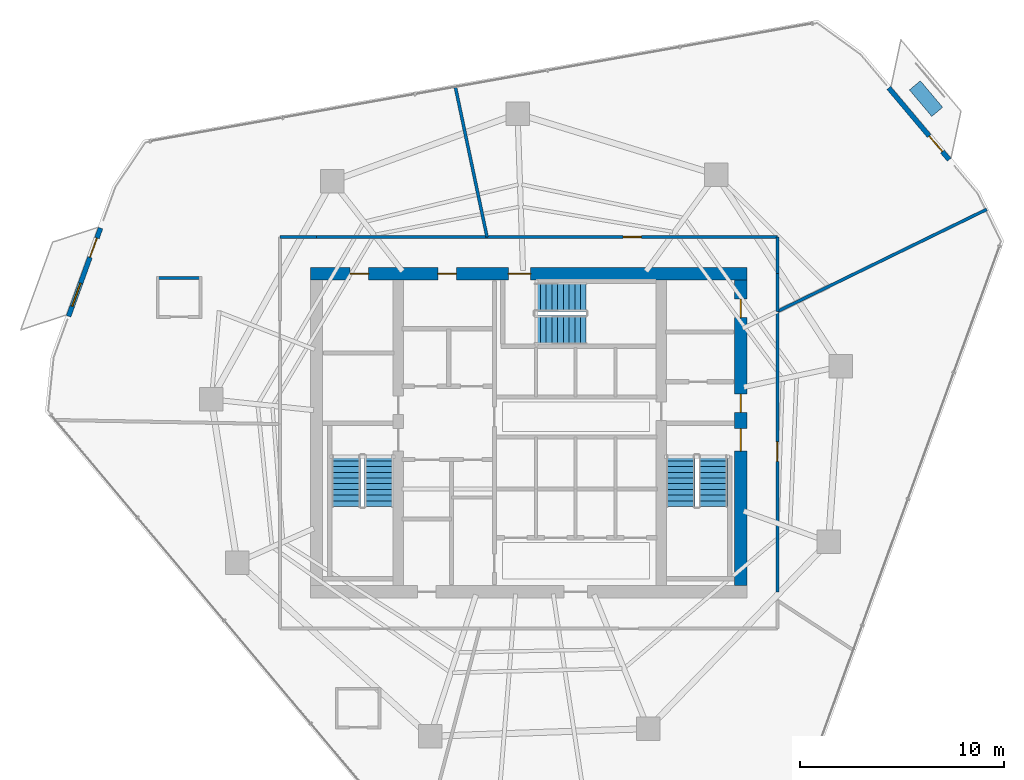
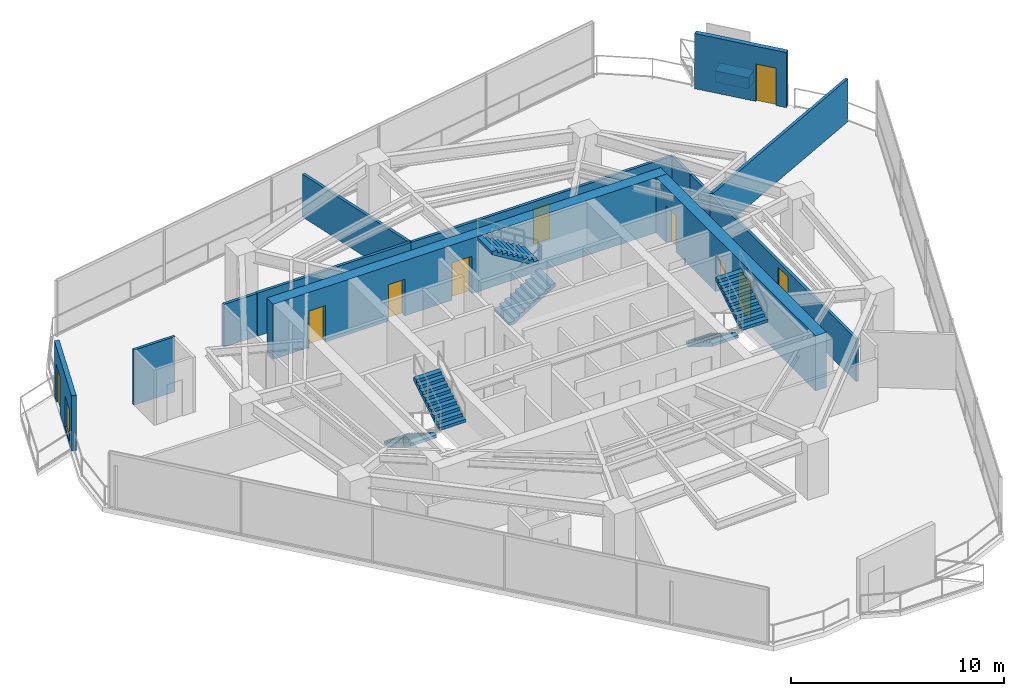
# One storey, part 25 of 27: 13 walls, 10 doors, 6 stair flights, 1 discrete accessory, 1 window, 11 openings, 3 elements without a shape of their own.
"""IFC4 building model written with IfcOpenShell, lengths in metres."""

from ifc_helpers import new_model, si_unit, direction, frame, frame_2d, origin, origin_2d, place, context, subcontext, project, spatial, polyline, rectangle, outline, extrude, material, layer, layer_set, type_object, element, fill, aggregate, save


model = new_model("IFC4")

# Units and contexts
model_context = context("Model", 3, precision=1e-05, world=origin(), true_north=direction((0.0, 1.0)))
body_context = subcontext(model_context, "Body", "Model", "MODEL_VIEW")
ifc_project = project(units=[si_unit("LENGTHUNIT", "METRE"), si_unit("AREAUNIT", "SQUARE_METRE"), si_unit("VOLUMEUNIT", "CUBIC_METRE"), si_unit("PLANEANGLEUNIT", "RADIAN"), si_unit("MASSUNIT", "GRAM", prefix="KILO")], contexts=[model_context])

# Site, building, storey
site_placement = place(None, origin())
site = spatial("IfcSite", under=ifc_project, at=site_placement, CompositionType="ELEMENT")
building_placement = place(site_placement, origin())
building = spatial("IfcBuilding", under=site, at=building_placement, Name="Qarnah Convention Tower", CompositionType="ELEMENT")
storey_placement = place(building_placement, frame((0.0, 0.0, 103.949951171875)))
storey = spatial("IfcBuildingStorey", under=building, at=storey_placement, Name="L27", CompositionType="ELEMENT", Elevation=103.949951171875)

# Wall, openings, doors
ifc_material_1 = material(Name="Concrete C60/75", Category="concrete")
ifc_layer_1 = layer(ifc_material_1, 0.60009765625)
ifc_layer_set_1 = layer_set([ifc_layer_1], Name="Concrete C60/75")
wall_type_1 = type_object("IfcWallType", Name="WL-CORE-600", PredefinedType="SHEAR", material=ifc_layer_set_1)
wall_1_placement = place(storey_placement, frame((26.5, 34.199951171875, 0.0), z_axis=(0.0, 0.0, 1.0), x_axis=(1.0, 0.0, 0.0)))
wall_1 = element("IfcWall", 1, at=wall_1_placement, inside=storey, type_object=wall_type_1, Name="L27 core north shear wall", PredefinedType="SHEAR", context=body_context, shape_type="SweptSolid", body=[
    extrude(rectangle(XDim=21.39990234375, YDim=0.60009765625, at=frame_2d((10.699951171875, 0.0))), origin(), (0.0, 0.0, 1.0), 3.170166015625),
])
opening_1_placement = place(wall_1_placement, frame((9.699951171875, 0.0, 0.0)))
opening_1 = element("IfcOpeningElement", 2, at=opening_1_placement, cuts=wall_1, Name="Opening D-2703", PredefinedType="OPENING", context=body_context, shape_type="SweptSolid", body=[
    extrude(rectangle(XDim=1.10009765625, YDim=2.14990234375, at=frame_2d((0.550048828125, 1.074951171875))), frame((0.0, 0.31005859375, 0.0), z_axis=(0.0, -1.0, 0.0), x_axis=(1.0, 0.0, 0.0)), (0.0, 0.0, 1.0), 0.6201171875),
])
opening_2_placement = place(wall_1_placement, frame((1.949951171875, 0.0, 0.0)))
opening_2 = element("IfcOpeningElement", 3, at=opening_2_placement, cuts=wall_1, Name="Opening D-2709", PredefinedType="OPENING", context=body_context, shape_type="SweptSolid", body=[
    extrude(rectangle(XDim=0.89990234375, YDim=2.10009765625, at=frame_2d((0.449951171875, 1.050048828125))), frame((0.0, 0.31005859375, 0.0), z_axis=(0.0, -1.0, 0.0), x_axis=(1.0, 0.0, 0.0)), (0.0, 0.0, 1.0), 0.6201171875),
])
opening_3_placement = place(wall_1_placement, frame((6.25, 0.0, 0.0)))
opening_3 = element("IfcOpeningElement", 4, at=opening_3_placement, cuts=wall_1, Name="Opening D-2710", PredefinedType="OPENING", context=body_context, shape_type="SweptSolid", body=[
    extrude(rectangle(XDim=0.89990234375, YDim=2.10009765625, at=frame_2d((0.449951171875, 1.050048828125))), frame((0.0, 0.31005859375, 0.0), z_axis=(0.0, -1.0, 0.0), x_axis=(1.0, 0.0, 0.0)), (0.0, 0.0, 1.0), 0.6201171875),
])
ifc_material_2 = material(Name="Structural steel S355JR", Category="steel")
door_type_1 = type_object("IfcDoorType", Name="DT-RISER-900", OperationType="NOTDEFINED", PredefinedType="DOOR", material=ifc_material_2)
door_1_placement = place(opening_2_placement, origin())
door_1 = element("IfcDoor", 5, at=door_1_placement, inside=storey, type_object=door_type_1, Name="Door D-2709", OperationType="SINGLE_SWING_RIGHT", OverallHeight=2.10009765625, OverallWidth=0.89990234375, PredefinedType="DOOR", context=body_context, shape_type="SweptSolid", body=[
    extrude(rectangle(XDim=0.89990234375, YDim=2.10009765625, at=frame_2d((0.449951171875, 1.050048828125))), frame((0.0, 0.02490234375, 0.0), z_axis=(0.0, -1.0, 0.0), x_axis=(1.0, 0.0, 0.0)), (0.0, 0.0, 1.0), 0.050048828125),
])
fill(opening_2, door_1)
door_2_placement = place(opening_3_placement, origin())
door_2 = element("IfcDoor", 6, at=door_2_placement, inside=storey, type_object=door_type_1, Name="Door D-2710", OperationType="SINGLE_SWING_LEFT", OverallHeight=2.10009765625, OverallWidth=0.89990234375, PredefinedType="DOOR", context=body_context, shape_type="SweptSolid", body=[
    extrude(rectangle(XDim=0.89990234375, YDim=2.10009765625, at=frame_2d((0.449951171875, 1.050048828125))), frame((0.0, 0.02490234375, 0.0), z_axis=(0.0, -1.0, 0.0), x_axis=(1.0, 0.0, 0.0)), (0.0, 0.0, 1.0), 0.050048828125),
])
fill(opening_3, door_2)
door_type_2 = type_object("IfcDoorType", Name="DT-STAIR-1100", OperationType="NOTDEFINED", PredefinedType="DOOR", material=ifc_material_2)
door_3_placement = place(opening_1_placement, origin())
door_3 = element("IfcDoor", 7, at=door_3_placement, inside=storey, type_object=door_type_2, Name="Door D-2703", OperationType="SINGLE_SWING_RIGHT", OverallHeight=2.14990234375, OverallWidth=1.10009765625, PredefinedType="DOOR", context=body_context, shape_type="SweptSolid", body=[
    extrude(rectangle(XDim=1.10009765625, YDim=2.14990234375, at=frame_2d((0.550048828125, 1.074951171875))), frame((0.0, 0.02490234375, 0.0), z_axis=(0.0, -1.0, 0.0), x_axis=(1.0, 0.0, 0.0)), (0.0, 0.0, 1.0), 0.050048828125),
])
fill(opening_1, door_3)

wall_2_placement = place(storey_placement, frame((47.60009765625, 18.89990234375, 0.0), z_axis=(0.0, 0.0, 1.0), x_axis=(0.0, 1.0, 0.0)))
wall_2 = element("IfcWall", 8, at=wall_2_placement, inside=storey, type_object=wall_type_1, Name="L27 core east shear wall", PredefinedType="SHEAR", context=body_context, shape_type="SweptSolid", body=[
    extrude(rectangle(XDim=15.0, YDim=0.60009765625, at=frame_2d((7.5, 0.0))), origin(), (0.0, 0.0, 1.0), 3.170166015625),
])
opening_4_placement = place(wall_2_placement, frame((6.60009765625, 0.0, 0.0)))
opening_4 = element("IfcOpeningElement", 9, at=opening_4_placement, cuts=wall_2, Name="Opening D-2702", PredefinedType="OPENING", context=body_context, shape_type="SweptSolid", body=[
    extrude(rectangle(XDim=1.10009765625, YDim=2.14990234375, at=frame_2d((0.550048828125, 1.074951171875))), frame((0.0, 0.31005859375, 0.0), z_axis=(0.0, -1.0, 0.0), x_axis=(1.0, 0.0, 0.0)), (0.0, 0.0, 1.0), 0.6201171875),
])
opening_5_placement = place(wall_2_placement, frame((8.5, 0.0, 0.0)))
opening_5 = element("IfcOpeningElement", 10, at=opening_5_placement, cuts=wall_2, Name="Opening D-2706", PredefinedType="OPENING", context=body_context, shape_type="SweptSolid", body=[
    extrude(rectangle(XDim=0.89990234375, YDim=2.10009765625, at=frame_2d((0.449951171875, 1.050048828125))), frame((0.0, 0.31005859375, 0.0), z_axis=(0.0, -1.0, 0.0), x_axis=(1.0, 0.0, 0.0)), (0.0, 0.0, 1.0), 0.6201171875),
])
opening_6_placement = place(wall_2_placement, frame((13.14990234375, 0.0, 0.0)))
opening_6 = element("IfcOpeningElement", 11, at=opening_6_placement, cuts=wall_2, Name="Opening D-2712", PredefinedType="OPENING", context=body_context, shape_type="SweptSolid", body=[
    extrude(rectangle(XDim=0.89990234375, YDim=2.10009765625, at=frame_2d((0.449951171875, 1.050048828125))), frame((0.0, 0.31005859375, 0.0), z_axis=(0.0, -1.0, 0.0), x_axis=(1.0, 0.0, 0.0)), (0.0, 0.0, 1.0), 0.6201171875),
])
door_4_placement = place(opening_5_placement, origin())
door_4 = element("IfcDoor", 12, at=door_4_placement, inside=storey, type_object=door_type_1, Name="Door D-2706", OperationType="SINGLE_SWING_LEFT", OverallHeight=2.10009765625, OverallWidth=0.89990234375, PredefinedType="DOOR", context=body_context, shape_type="SweptSolid", body=[
    extrude(rectangle(XDim=0.89990234375, YDim=2.10009765625, at=frame_2d((0.449951171875, 1.050048828125))), frame((0.0, 0.02490234375, 0.0), z_axis=(0.0, -1.0, 0.0), x_axis=(1.0, 0.0, 0.0)), (0.0, 0.0, 1.0), 0.050048828125),
])
fill(opening_5, door_4)
door_5_placement = place(opening_6_placement, origin())
door_5 = element("IfcDoor", 13, at=door_5_placement, inside=storey, type_object=door_type_1, Name="Door D-2712", OperationType="SINGLE_SWING_LEFT", OverallHeight=2.10009765625, OverallWidth=0.89990234375, PredefinedType="DOOR", context=body_context, shape_type="SweptSolid", body=[
    extrude(rectangle(XDim=0.89990234375, YDim=2.10009765625, at=frame_2d((0.449951171875, 1.050048828125))), frame((0.0, 0.02490234375, 0.0), z_axis=(0.0, -1.0, 0.0), x_axis=(1.0, 0.0, 0.0)), (0.0, 0.0, 1.0), 0.050048828125),
])
fill(opening_6, door_5)
door_6_placement = place(opening_4_placement, origin())
door_6 = element("IfcDoor", 14, at=door_6_placement, inside=storey, type_object=door_type_2, Name="Door D-2702", OperationType="SINGLE_SWING_LEFT", OverallHeight=2.14990234375, OverallWidth=1.10009765625, PredefinedType="DOOR", context=body_context, shape_type="SweptSolid", body=[
    extrude(rectangle(XDim=1.10009765625, YDim=2.14990234375, at=frame_2d((0.550048828125, 1.074951171875))), frame((0.0, 0.02490234375, 0.0), z_axis=(0.0, -1.0, 0.0), x_axis=(1.0, 0.0, 0.0)), (0.0, 0.0, 1.0), 0.050048828125),
])
fill(opening_4, door_6)

# Wall, opening, door
ifc_material_3 = material(Name="Precast concrete C45/55", Category="concrete")
ifc_layer_2 = layer(ifc_material_3, 0.239990234375)
ifc_layer_set_2 = layer_set([ifc_layer_2], Name="Precast concrete C45/55")
wall_type_2 = type_object("IfcWallType", Name="WL-EXT-BAL-240", PredefinedType="SOLIDWALL", material=ifc_layer_set_2)
wall_3_placement = place(storey_placement, frame((54.85888671875, 43.30908203125, 0.0), z_axis=(0.0, 0.0, 1.0), x_axis=(0.643977190631, -0.765044690163, 0.0)))
wall_3 = element("IfcWall", 15, at=wall_3_placement, inside=storey, type_object=wall_type_2, Name="L27 loggia threshold wall BAL-L27-C1", PredefinedType="SOLIDWALL", context=body_context, shape_type="SweptSolid", body=[
    extrude(rectangle(XDim=4.599853515625, YDim=0.239990234375, at=frame_2d((2.2998046875, 0.0))), origin(), (0.0, 0.0, 1.0), 3.170166015625),
])
opening_7_placement = place(wall_3_placement, frame((3.080078125, 0.0, 0.0)))
opening_7 = element("IfcOpeningElement", 16, at=opening_7_placement, cuts=wall_3, Name="Opening BD-2701", PredefinedType="OPENING", context=body_context, shape_type="SweptSolid", body=[
    extrude(rectangle(XDim=1.0, YDim=2.14990234375, at=frame_2d((0.5, 1.074951171875))), frame((0.0, 0.1298828125, 0.0), z_axis=(0.0, -1.0, 0.0), x_axis=(1.0, 0.0, 0.0)), (0.0, 0.0, 1.0), 0.260009765625),
])
ifc_material_4 = material(Name="Black anodised aluminium", Category="aluminium")
door_type_3 = type_object("IfcDoorType", Name="DT-BAL-1000", OperationType="NOTDEFINED", PredefinedType="DOOR", material=ifc_material_4)
door_7_placement = place(opening_7_placement, origin())
door_7 = element("IfcDoor", 17, at=door_7_placement, inside=storey, type_object=door_type_3, Name="L27 balcony terrace door BAL-L27-C1", OperationType="SINGLE_SWING_RIGHT", OverallHeight=2.14990234375, OverallWidth=1.0, PredefinedType="DOOR", context=body_context, shape_type="SweptSolid", body=[
    extrude(rectangle(XDim=1.0, YDim=2.14990234375, at=frame_2d((0.5, 1.074951171875))), frame((0.0, 0.02490234375, 0.0), z_axis=(0.0, -1.0, 0.0), x_axis=(1.0, 0.0, 0.0)), (0.0, 0.0, 1.0), 0.050048828125),
])
fill(opening_7, door_7)

# Wall, openings, door, window
wall_4_placement = place(storey_placement, frame((14.636962890625, 32.113037109375, 0.0), z_axis=(0.0, 0.0, 1.0), x_axis=(0.340673253806, 0.940181755908, 0.0)))
wall_4 = element("IfcWall", 18, at=wall_4_placement, inside=storey, type_object=wall_type_2, Name="L27 loggia threshold wall BAL-L27-C2", PredefinedType="SOLIDWALL", context=body_context, shape_type="SweptSolid", body=[
    extrude(rectangle(XDim=4.60009765625, YDim=0.239990234375, at=frame_2d((2.300048828125, 0.0))), origin(), (0.0, 0.0, 1.0), 3.170166015625),
])
opening_8_placement = place(wall_4_placement, frame((3.080078125, 0.0, 0.0)))
opening_8 = element("IfcOpeningElement", 19, at=opening_8_placement, cuts=wall_4, Name="Opening BD-2702", PredefinedType="OPENING", context=body_context, shape_type="SweptSolid", body=[
    extrude(rectangle(XDim=1.0, YDim=2.14990234375, at=frame_2d((0.5, 1.074951171875))), frame((0.0, 0.1298828125, 0.0), z_axis=(0.0, -1.0, 0.0), x_axis=(1.0, 0.0, 0.0)), (0.0, 0.0, 1.0), 0.260009765625),
])
opening_9_placement = place(wall_4_placement, frame((0.52001953125, 0.0, 0.199951171875)))
opening_9 = element("IfcOpeningElement", 20, at=opening_9_placement, cuts=wall_4, Name="Opening WN5", PredefinedType="OPENING", context=body_context, shape_type="SweptSolid", body=[
    extrude(rectangle(XDim=1.199951171875, YDim=1.800048828125, at=frame_2d((0.60009765625, 0.89990234375))), frame((0.0, 0.1298828125, 0.0), z_axis=(0.0, -1.0, 0.0), x_axis=(1.0, 0.0, 0.0)), (0.0, 0.0, 1.0), 0.260009765625),
])
door_8_placement = place(opening_8_placement, origin())
door_8 = element("IfcDoor", 21, at=door_8_placement, inside=storey, type_object=door_type_3, Name="L27 balcony terrace door BAL-L27-C2", OperationType="SINGLE_SWING_LEFT", OverallHeight=2.14990234375, OverallWidth=1.0, PredefinedType="DOOR", context=body_context, shape_type="SweptSolid", body=[
    extrude(rectangle(XDim=1.0, YDim=2.14990234375, at=frame_2d((0.5, 1.074951171875))), frame((0.0, 0.02490234375, 0.0), z_axis=(0.0, -1.0, 0.0), x_axis=(1.0, 0.0, 0.0)), (0.0, 0.0, 1.0), 0.050048828125),
])
fill(opening_8, door_8)
ifc_material_5 = material(Name="Tempered Low-E dark glass", Category="glass")
window_type = type_object("IfcWindowType", Name="WT-BAL-1200X1800", PartitioningType="SINGLE_PANEL", PredefinedType="WINDOW", material=ifc_material_5)
window_placement = place(opening_9_placement, origin())
window = element("IfcWindow", 22, at=window_placement, inside=storey, type_object=window_type, Name="Window BW-BAL-L27-C2", OverallHeight=1.800048828125, OverallWidth=1.199951171875, PartitioningType="SINGLE_PANEL", PredefinedType="WINDOW", context=body_context, shape_type="SweptSolid", body=[
    extrude(rectangle(XDim=1.199951171875, YDim=1.800048828125, at=frame_2d((0.60009765625, 0.89990234375))), frame((0.0, 0.030029296875, 0.0), z_axis=(0.0, -1.0, 0.0), x_axis=(1.0, 0.0, 0.0)), (0.0, 0.0, 1.0), 0.06005859375),
])
fill(opening_9, window)

# Wall
ifc_material_6 = material(Name="Gypsum partition board")
ifc_layer_3 = layer(ifc_material_6, 0.14990234375)
ifc_layer_set_3 = layer_set([ifc_layer_3], Name="Gypsum partition board")
wall_type_3 = type_object("IfcWallType", Name="WL-SUITE-150", PredefinedType="PARTITIONING", material=ifc_layer_set_3)
wall_5_placement = place(storey_placement, frame((33.596923828125, 43.39794921875, 0.0), z_axis=(0.0, 0.0, 1.0), x_axis=(0.206586512676, -0.978428338091, 0.0)))
element("IfcWall", 23, at=wall_5_placement, inside=storey, type_object=wall_type_3, Name="L27 interior wall IW-L27-R-09", PredefinedType="PARTITIONING", context=body_context, shape_type="SweptSolid", body=[
    extrude(rectangle(XDim=7.56103515625, YDim=0.14990234375, at=frame_2d((3.780517578125, 0.0))), origin(), (0.0, 0.0, 1.0), 2.455078125),
])

# Wall, opening, door
wall_6_placement = place(storey_placement, frame((35.158935546875, 36.0, 0.0), z_axis=(0.0, 0.0, 1.0), x_axis=(1.0, 0.0, 0.0)))
wall_6 = element("IfcWall", 24, at=wall_6_placement, inside=storey, type_object=wall_type_3, Name="L27 interior wall IW-L27-R-10", PredefinedType="PARTITIONING", context=body_context, shape_type="SweptSolid", body=[
    extrude(rectangle(XDim=14.240966796875, YDim=0.14990234375, at=frame_2d((7.12060546875, 0.0))), origin(), (0.0, 0.0, 1.0), 2.455078125),
])
opening_10_placement = place(wall_6_placement, frame((6.669921875, 0.0, 0.0)))
opening_10 = element("IfcOpeningElement", 25, at=opening_10_placement, cuts=wall_6, Name="Opening D-2716", PredefinedType="OPENING", context=body_context, shape_type="SweptSolid", body=[
    extrude(rectangle(XDim=0.89990234375, YDim=2.0, at=frame_2d((0.449951171875, 1.0))), frame((0.0, 0.0849609375, 0.0), z_axis=(0.0, -1.0, 0.0), x_axis=(1.0, 0.0, 0.0)), (0.0, 0.0, 1.0), 0.169921875),
])
door_type_4 = type_object("IfcDoorType", Name="DT-PLANT-900", OperationType="NOTDEFINED", PredefinedType="DOOR", material=ifc_material_2)
door_9_placement = place(opening_10_placement, origin())
door_9 = element("IfcDoor", 26, at=door_9_placement, inside=storey, type_object=door_type_4, Name="Door D-2716", OperationType="SINGLE_SWING_LEFT", OverallHeight=2.0, OverallWidth=0.89990234375, PredefinedType="DOOR", context=body_context, shape_type="SweptSolid", body=[
    extrude(rectangle(XDim=0.89990234375, YDim=2.0, at=frame_2d((0.449951171875, 1.0))), frame((0.0, 0.02490234375, 0.0), z_axis=(0.0, -1.0, 0.0), x_axis=(1.0, 0.0, 0.0)), (0.0, 0.0, 1.0), 0.050048828125),
])
fill(opening_10, door_9)

# Walls
wall_7_placement = place(storey_placement, frame((49.39990234375, 36.0, 0.0), z_axis=(0.0, 0.0, 1.0), x_axis=(0.0, -1.0, 0.0)))
element("IfcWall", 27, at=wall_7_placement, inside=storey, type_object=wall_type_3, Name="L27 interior wall IW-L27-R-11", PredefinedType="PARTITIONING", context=body_context, shape_type="SweptSolid", body=[
    extrude(rectangle(XDim=1.800048828125, YDim=0.14990234375, at=frame_2d((0.89990234375, 0.0))), origin(), (0.0, 0.0, 1.0), 2.455078125),
])
wall_8_placement = place(storey_placement, frame((49.39990234375, 34.199951171875, 0.0), z_axis=(0.0, 0.0, 1.0), x_axis=(0.0, -1.0, 0.0)))
element("IfcWall", 28, at=wall_8_placement, inside=storey, type_object=wall_type_3, Name="L27 interior wall IW-L27-R-12", PredefinedType="PARTITIONING", context=body_context, shape_type="SweptSolid", body=[
    extrude(rectangle(XDim=1.849853515625, YDim=0.14990234375, at=frame_2d((0.9248046875, 0.0))), origin(), (0.0, 0.0, 1.0), 2.455078125),
])
wall_9_placement = place(storey_placement, frame((49.39990234375, 32.35009765625, 0.0), z_axis=(0.0, 0.0, 1.0), x_axis=(0.898786537998, 0.438386540753, 0.0)))
element("IfcWall", 29, at=wall_9_placement, inside=storey, type_object=wall_type_3, Name="L27 interior wall IW-L27-R-13", PredefinedType="PARTITIONING", context=body_context, shape_type="SweptSolid", body=[
    extrude(rectangle(XDim=11.412109375, YDim=0.14990234375, at=frame_2d((5.7060546875, 0.0))), origin(), (0.0, 0.0, 1.0), 2.455078125),
])
wall_10_placement = place(storey_placement, frame((25.0, 36.0, 0.0), z_axis=(0.0, 0.0, 1.0), x_axis=(1.0, 0.0, 0.0)))
element("IfcWall", 30, at=wall_10_placement, inside=storey, type_object=wall_type_3, Name="L27 interior wall IW-L27-R-16", PredefinedType="PARTITIONING", context=body_context, shape_type="SweptSolid", body=[
    extrude(rectangle(XDim=1.800048828125, YDim=0.14990234375, at=frame_2d((0.89990234375, 0.0))), origin(), (0.0, 0.0, 1.0), 2.455078125),
])
wall_11_placement = place(storey_placement, frame((26.800048828125, 36.0, 0.0), z_axis=(0.0, 0.0, 1.0), x_axis=(1.0, 0.0, 0.0)))
element("IfcWall", 31, at=wall_11_placement, inside=storey, type_object=wall_type_3, Name="L27 interior wall IW-L27-R-17", PredefinedType="PARTITIONING", context=body_context, shape_type="SweptSolid", body=[
    extrude(rectangle(XDim=8.35888671875, YDim=0.14990234375, at=frame_2d((4.179443359375, 0.0))), origin(), (0.0, 0.0, 1.0), 2.467041015625),
])

# Wall, opening, door
wall_12_placement = place(storey_placement, frame((49.39990234375, 32.35009765625, 0.0), z_axis=(0.0, 0.0, 1.0), x_axis=(0.0, -1.0, 0.0)))
wall_12 = element("IfcWall", 32, at=wall_12_placement, inside=storey, type_object=wall_type_3, Name="L27 interior wall IW-L27-R-25", PredefinedType="PARTITIONING", context=body_context, shape_type="SweptSolid", body=[
    extrude(rectangle(XDim=13.75, YDim=0.14990234375, at=frame_2d((6.875, 0.0))), origin(), (0.0, 0.0, 1.0), 2.455078125),
])
opening_11_placement = place(wall_12_placement, frame((6.39990234375, 0.0, 0.0)))
opening_11 = element("IfcOpeningElement", 33, at=opening_11_placement, cuts=wall_12, Name="Opening D-2722", PredefinedType="OPENING", context=body_context, shape_type="SweptSolid", body=[
    extrude(rectangle(XDim=0.949951171875, YDim=2.14990234375, at=frame_2d((0.47509765625, 1.074951171875))), frame((0.0, 0.0849609375, 0.0), z_axis=(0.0, -1.0, 0.0), x_axis=(1.0, 0.0, 0.0)), (0.0, 0.0, 1.0), 0.169921875),
])
ifc_material_7 = material(Name="Oak timber veneer", Category="wood")
door_type_5 = type_object("IfcDoorType", Name="DT-HOTEL-950", OperationType="NOTDEFINED", PredefinedType="DOOR", material=ifc_material_7)
door_10_placement = place(opening_11_placement, origin())
door_10 = element("IfcDoor", 34, at=door_10_placement, inside=storey, type_object=door_type_5, Name="Door D-2722", OperationType="SINGLE_SWING_LEFT", OverallHeight=2.14990234375, OverallWidth=0.949951171875, PredefinedType="DOOR", context=body_context, shape_type="SweptSolid", body=[
    extrude(rectangle(XDim=0.949951171875, YDim=2.14990234375, at=frame_2d((0.47509765625, 1.074951171875))), frame((0.0, 0.02490234375, 0.0), z_axis=(0.0, -1.0, 0.0), x_axis=(1.0, 0.0, 0.0)), (0.0, 0.0, 1.0), 0.050048828125),
])
fill(opening_11, door_10)

# Wall
ifc_layer_4 = layer(ifc_material_6, 0.139892578125)
ifc_layer_set_4 = layer_set([ifc_layer_4], Name="Gypsum partition board")
wall_type_4 = type_object("IfcWallType", Name="WL-WET-140", PredefinedType="PARTITIONING", material=ifc_layer_set_4)
wall_13_placement = place(storey_placement, frame((21.179931640625, 33.98291015625, 0.0), z_axis=(0.0, 0.0, 1.0), x_axis=(-1.0, 0.0, 0.0)))
element("IfcWall", 35, at=wall_13_placement, inside=storey, type_object=wall_type_4, Name="L27 interior wall IW-L27-ENS01-3", PredefinedType="PARTITIONING", context=body_context, shape_type="SweptSolid", body=[
    extrude(rectangle(XDim=2.239990234375, YDim=0.139892578125, at=frame_2d((1.1201171875, 0.0))), origin(), (0.0, 0.0, 1.0), 3.170166015625),
])

# Stair, stair flights
ifc_material_8 = material(Name="Concrete C50/60", Category="concrete")
stair_type = type_object("IfcStairType", Name="STR-HTL", PredefinedType="HALF_TURN_STAIR", material=ifc_material_8)
stair_1_placement = place(storey_placement, origin())
stair_1 = element("IfcStair", 36, at=stair_1_placement, inside=storey, type_object=stair_type, Name="L27 Core exit stair ST-1", PredefinedType="HALF_TURN_STAIR")
stair_flight_type = type_object("IfcStairFlightType", Name="FLT-HTL", PredefinedType="STRAIGHT", material=ifc_material_8)
stair_flight_1_placement = place(storey_placement, frame((28.25, 25.300048828125, 0.0), z_axis=(0.0, 0.0, 1.0), x_axis=(0.0, -1.0, 0.0)))
stair_flight_1 = element("IfcStairFlight", 37, at=stair_flight_1_placement, type_object=stair_flight_type, Name="ST-1 flight 1", NumberOfRisers=10, NumberOfTreads=9, PredefinedType="STRAIGHT", RiserHeight=0.1725, TreadLength=0.28, context=body_context, shape_type="SweptSolid", body=[
    extrude(outline(polyline([(0.0, 0.0), (0.0, 0.172607421875), (0.280029296875, 0.172607421875), (0.280029296875, 0.344970703125), (0.56005859375, 0.344970703125), (0.56005859375, 0.517578125), (0.840087890625, 0.517578125), (0.840087890625, 0.68994140625), (1.1201171875, 0.68994140625), (1.1201171875, 0.862548828125), (1.39990234375, 0.862548828125), (1.39990234375, 1.034912109375), (1.679931640625, 1.034912109375), (1.679931640625, 1.20751953125), (1.9599609375, 1.20751953125), (1.9599609375, 1.3798828125), (2.239990234375, 1.3798828125), (2.239990234375, 1.552490234375), (2.52001953125, 1.552490234375), (2.52001953125, 1.72509765625), (2.52001953125, 1.37646484375), (0.285888671875, 0.0), (0.0, 0.0)])), frame((0.0, 0.699951171875, 0.0), z_axis=(0.0, -1.0, 0.0), x_axis=(1.0, 0.0, 0.0)), (0.0, 0.0, 1.0), 1.39990234375),
])
stair_flight_2_placement = place(storey_placement, frame((29.85009765625, 22.780029296875, 1.72509765625), z_axis=(0.0, 0.0, 1.0), x_axis=(0.0, 1.0, 0.0)))
stair_flight_2 = element("IfcStairFlight", 38, at=stair_flight_2_placement, type_object=stair_flight_type, Name="ST-1 flight 2", NumberOfRisers=10, NumberOfTreads=9, PredefinedType="STRAIGHT", RiserHeight=0.1725, TreadLength=0.28, context=body_context, shape_type="SweptSolid", body=[
    extrude(outline(polyline([(0.0, 0.0), (0.0, 0.172607421875), (0.280029296875, 0.172607421875), (0.280029296875, 0.344970703125), (0.56005859375, 0.344970703125), (0.56005859375, 0.517578125), (0.840087890625, 0.517578125), (0.840087890625, 0.68994140625), (1.1201171875, 0.68994140625), (1.1201171875, 0.862548828125), (1.39990234375, 0.862548828125), (1.39990234375, 1.034912109375), (1.679931640625, 1.034912109375), (1.679931640625, 1.20751953125), (1.9599609375, 1.20751953125), (1.9599609375, 1.3798828125), (2.239990234375, 1.3798828125), (2.239990234375, 1.552490234375), (2.52001953125, 1.552490234375), (2.52001953125, 1.72509765625), (2.52001953125, 1.37646484375), (0.285888671875, 0.0), (0.0, 0.0)])), frame((0.0, 0.699951171875, 0.0), z_axis=(0.0, -1.0, 0.0), x_axis=(1.0, 0.0, 0.0)), (0.0, 0.0, 1.0), 1.39990234375),
])
aggregate(stair_1, [stair_flight_1, stair_flight_2])

stair_2_placement = place(storey_placement, origin())
stair_2 = element("IfcStair", 39, at=stair_2_placement, inside=storey, type_object=stair_type, Name="L27 Core exit stair ST-2", PredefinedType="HALF_TURN_STAIR")
stair_flight_3_placement = place(storey_placement, frame((44.64990234375, 25.300048828125, 0.0), z_axis=(0.0, 0.0, 1.0), x_axis=(0.0, -1.0, 0.0)))
stair_flight_3 = element("IfcStairFlight", 40, at=stair_flight_3_placement, type_object=stair_flight_type, Name="ST-2 flight 1", NumberOfRisers=10, NumberOfTreads=9, PredefinedType="STRAIGHT", RiserHeight=0.1725, TreadLength=0.28, context=body_context, shape_type="SweptSolid", body=[
    extrude(outline(polyline([(0.0, 0.0), (0.0, 0.172607421875), (0.280029296875, 0.172607421875), (0.280029296875, 0.344970703125), (0.56005859375, 0.344970703125), (0.56005859375, 0.517578125), (0.840087890625, 0.517578125), (0.840087890625, 0.68994140625), (1.1201171875, 0.68994140625), (1.1201171875, 0.862548828125), (1.39990234375, 0.862548828125), (1.39990234375, 1.034912109375), (1.679931640625, 1.034912109375), (1.679931640625, 1.20751953125), (1.9599609375, 1.20751953125), (1.9599609375, 1.3798828125), (2.239990234375, 1.3798828125), (2.239990234375, 1.552490234375), (2.52001953125, 1.552490234375), (2.52001953125, 1.72509765625), (2.52001953125, 1.37646484375), (0.285888671875, 0.0), (0.0, 0.0)])), frame((0.0, 0.699951171875, 0.0), z_axis=(0.0, -1.0, 0.0), x_axis=(1.0, 0.0, 0.0)), (0.0, 0.0, 1.0), 1.39990234375),
])
stair_flight_4_placement = place(storey_placement, frame((46.25, 22.780029296875, 1.72509765625), z_axis=(0.0, 0.0, 1.0), x_axis=(0.0, 1.0, 0.0)))
stair_flight_4 = element("IfcStairFlight", 41, at=stair_flight_4_placement, type_object=stair_flight_type, Name="ST-2 flight 2", NumberOfRisers=10, NumberOfTreads=9, PredefinedType="STRAIGHT", RiserHeight=0.1725, TreadLength=0.28, context=body_context, shape_type="SweptSolid", body=[
    extrude(outline(polyline([(0.0, 0.0), (0.0, 0.172607421875), (0.280029296875, 0.172607421875), (0.280029296875, 0.344970703125), (0.56005859375, 0.344970703125), (0.56005859375, 0.517578125), (0.840087890625, 0.517578125), (0.840087890625, 0.68994140625), (1.1201171875, 0.68994140625), (1.1201171875, 0.862548828125), (1.39990234375, 0.862548828125), (1.39990234375, 1.034912109375), (1.679931640625, 1.034912109375), (1.679931640625, 1.20751953125), (1.9599609375, 1.20751953125), (1.9599609375, 1.3798828125), (2.239990234375, 1.3798828125), (2.239990234375, 1.552490234375), (2.52001953125, 1.552490234375), (2.52001953125, 1.72509765625), (2.52001953125, 1.37646484375), (0.285888671875, 0.0), (0.0, 0.0)])), frame((0.0, 0.699951171875, 0.0), z_axis=(0.0, -1.0, 0.0), x_axis=(1.0, 0.0, 0.0)), (0.0, 0.0, 1.0), 1.39990234375),
])
aggregate(stair_2, [stair_flight_3, stair_flight_4])

stair_3_placement = place(storey_placement, origin())
stair_3 = element("IfcStair", 42, at=stair_3_placement, inside=storey, type_object=stair_type, Name="L27 Core exit stair ST-3", PredefinedType="HALF_TURN_STAIR")
stair_flight_5_placement = place(storey_placement, frame((37.5, 31.449951171875, 0.0), z_axis=(0.0, 0.0, 1.0), x_axis=(1.0, 0.0, 0.0)))
stair_flight_5 = element("IfcStairFlight", 43, at=stair_flight_5_placement, type_object=stair_flight_type, Name="ST-3 flight 1", NumberOfRisers=10, NumberOfTreads=9, PredefinedType="STRAIGHT", RiserHeight=0.1725, TreadLength=0.28, context=body_context, shape_type="SweptSolid", body=[
    extrude(outline(polyline([(0.0, 0.0), (0.0, 0.172607421875), (0.280029296875, 0.172607421875), (0.280029296875, 0.344970703125), (0.56005859375, 0.344970703125), (0.56005859375, 0.517578125), (0.840087890625, 0.517578125), (0.840087890625, 0.68994140625), (1.1201171875, 0.68994140625), (1.1201171875, 0.862548828125), (1.39990234375, 0.862548828125), (1.39990234375, 1.034912109375), (1.679931640625, 1.034912109375), (1.679931640625, 1.20751953125), (1.9599609375, 1.20751953125), (1.9599609375, 1.3798828125), (2.239990234375, 1.3798828125), (2.239990234375, 1.552490234375), (2.52001953125, 1.552490234375), (2.52001953125, 1.72509765625), (2.52001953125, 1.37646484375), (0.285888671875, 0.0), (0.0, 0.0)])), frame((0.0, 0.699951171875, 0.0), z_axis=(0.0, -1.0, 0.0), x_axis=(1.0, 0.0, 0.0)), (0.0, 0.0, 1.0), 1.39990234375),
])
stair_flight_6_placement = place(storey_placement, frame((40.02001953125, 33.050048828125, 1.72509765625), z_axis=(0.0, 0.0, 1.0), x_axis=(-1.0, 0.0, 0.0)))
stair_flight_6 = element("IfcStairFlight", 44, at=stair_flight_6_placement, type_object=stair_flight_type, Name="ST-3 flight 2", NumberOfRisers=10, NumberOfTreads=9, PredefinedType="STRAIGHT", RiserHeight=0.1725, TreadLength=0.28, context=body_context, shape_type="SweptSolid", body=[
    extrude(outline(polyline([(0.0, 0.0), (0.0, 0.172607421875), (0.280029296875, 0.172607421875), (0.280029296875, 0.344970703125), (0.56005859375, 0.344970703125), (0.56005859375, 0.517578125), (0.840087890625, 0.517578125), (0.840087890625, 0.68994140625), (1.1201171875, 0.68994140625), (1.1201171875, 0.862548828125), (1.39990234375, 0.862548828125), (1.39990234375, 1.034912109375), (1.679931640625, 1.034912109375), (1.679931640625, 1.20751953125), (1.9599609375, 1.20751953125), (1.9599609375, 1.3798828125), (2.239990234375, 1.3798828125), (2.239990234375, 1.552490234375), (2.52001953125, 1.552490234375), (2.52001953125, 1.72509765625), (2.52001953125, 1.37646484375), (0.285888671875, 0.0), (0.0, 0.0)])), frame((0.0, 0.699951171875, 0.0), z_axis=(0.0, -1.0, 0.0), x_axis=(1.0, 0.0, 0.0)), (0.0, 0.0, 1.0), 1.39990234375),
])
aggregate(stair_3, [stair_flight_5, stair_flight_6])

# Discrete accessory
discrete_accessory_type = type_object("IfcDiscreteAccessoryType", Name="ACC-PLANTER-900", PredefinedType="USERDEFINED", material=ifc_material_3)
discrete_accessory_placement = place(storey_placement, frame((56.68603515625, 42.784912109375, 0.0), z_axis=(0.0, 0.0, 1.0), x_axis=(-0.643990115982, 0.765033810049, 0.0)))
element("IfcDiscreteAccessory", 45, at=discrete_accessory_placement, inside=storey, type_object=discrete_accessory_type, Name="L27 irrigated desert balcony PLANTER BAL-L27-C1", ObjectType="PLANTER", PredefinedType="USERDEFINED", context=body_context, shape_type="SweptSolid", body=[
    extrude(rectangle(XDim=1.699951171875, YDim=0.699951171875, at=origin_2d()), origin(), (0.0, 0.0, 1.0), 0.64990234375),
])

save(model, "model.ifc")
